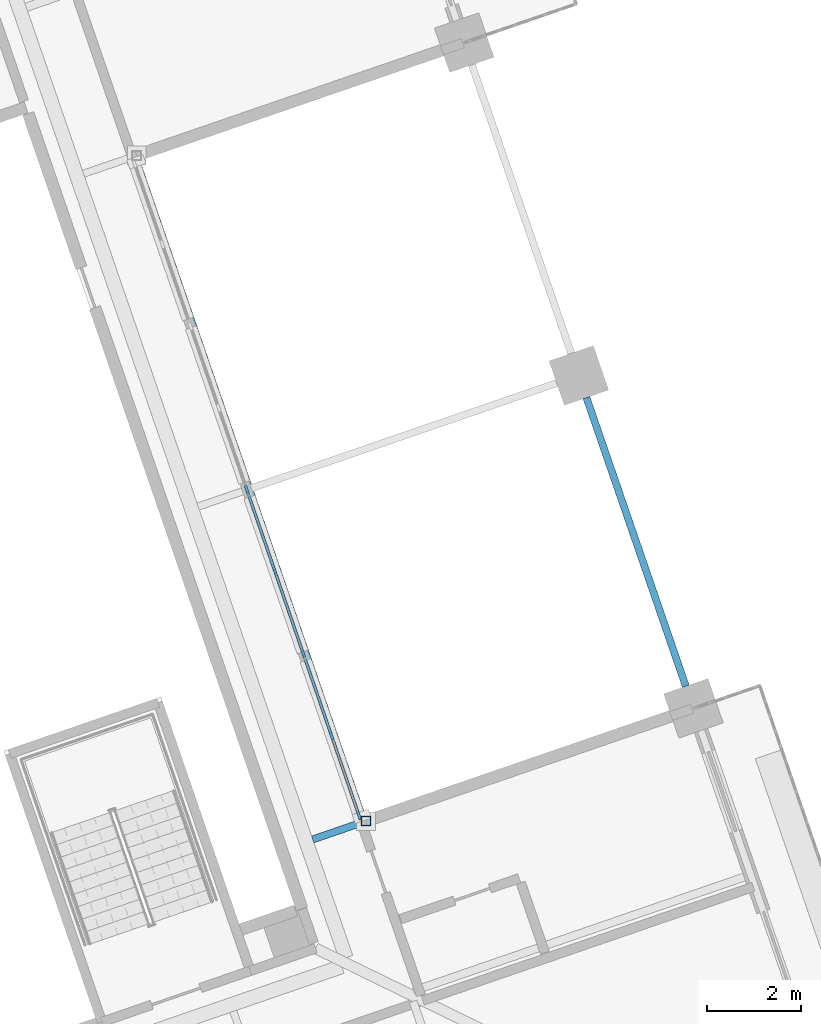
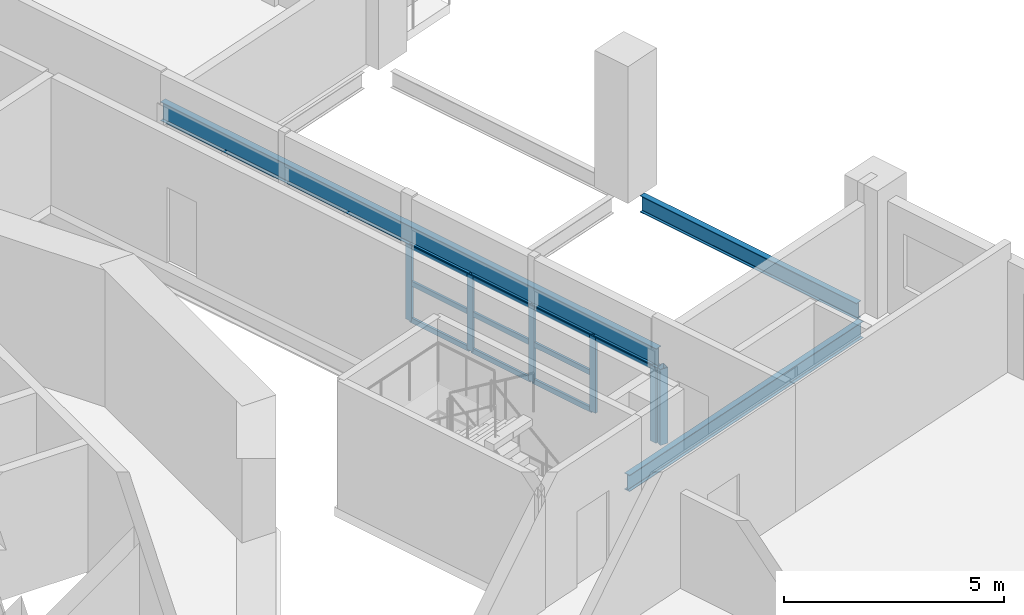
# One storey, part 2 of 21: 16 members, 3 beams, 1 element without a shape of its own.
"""IFC4 building model written with IfcOpenShell, lengths in metres."""

from ifc_helpers import new_model, si_unit, direction, frame, origin, origin_2d, place, context, subcontext, project, spatial, rectangle, hollow_rectangle, i_section, extrude, material, material_profile, profile_set, type_object, element, aggregate, save


model = new_model("IFC4")

# Units and contexts
model_context = context("Model", 3, precision=1e-05, world=origin(), true_north=direction((0.0, 1.0)))
body_context = subcontext(model_context, "Body", "Model", "MODEL_VIEW")
ifc_project = project(units=[si_unit("LENGTHUNIT", "METRE"), si_unit("AREAUNIT", "SQUARE_METRE"), si_unit("VOLUMEUNIT", "CUBIC_METRE"), si_unit("PLANEANGLEUNIT", "RADIAN"), si_unit("MASSUNIT", "GRAM", prefix="KILO")], contexts=[model_context])

# Site, building, storey
site_placement = place(None, origin())
site = spatial("IfcSite", under=ifc_project, at=site_placement, CompositionType="ELEMENT")
building_placement = place(site_placement, origin())
building = spatial("IfcBuilding", under=site, at=building_placement, Name="Cantera Rosa Tower", CompositionType="ELEMENT")
storey_placement = place(building_placement, frame((0.0, 0.0, 119.300048828125)))
storey = spatial("IfcBuildingStorey", under=building, at=storey_placement, Name="L24", CompositionType="ELEMENT", Elevation=119.300048828125)

# Curtain wall, members
ifc_material_1 = material(Name="Aluminium frame with clear glass", Category="aluminium")
curtain_wall_type = type_object("IfcCurtainWallType", Name="CW1 TERRACE POCKET GLAZING", PredefinedType="NOTDEFINED", material=ifc_material_1)
curtain_wall_placement = place(storey_placement, origin())
curtain_wall = element("IfcCurtainWall", 1, at=curtain_wall_placement, inside=storey, type_object=curtain_wall_type, Name="CW1 CW1", PredefinedType="NOTDEFINED")
ifc_material_2 = material(Name="Anodised bronze aluminium", Category="aluminium")
ifc_material_profile_1 = material_profile(ifc_material_2, rectangle(XDim=0.06005859375, YDim=0.179931640625, at=origin_2d()), Name="CW-MULLION 60x180 POCKET")
ifc_profile_set_1 = profile_set([ifc_material_profile_1], Name="Anodised bronze aluminium")
member_type_1 = type_object("IfcMemberType", Name="CW-MULLION 60x180 POCKET", PredefinedType="MULLION", material=ifc_profile_set_1)
member_1_placement = place(storey_placement, frame((21.30322265625, -4.4306640625, 0.0), z_axis=(0.0, 0.0, 1.0), x_axis=(-0.945518575588, -0.32556815449, 0.0)))
member_1 = element("IfcMember", 2, at=member_1_placement, type_object=member_type_1, Name="CW1 mullion 1", PredefinedType="MULLION", context=body_context, shape_type="SweptSolid", body=[
    extrude(rectangle(XDim=0.06005859375, YDim=0.179931640625, at=origin_2d()), origin(), (0.0, 0.0, 1.0), 2.10400390625),
])
member_2_placement = place(storey_placement, frame((20.7109375, -2.711181640625, 0.0), z_axis=(0.0, 0.0, 1.0), x_axis=(-0.945518575588, -0.32556815449, 0.0)))
member_2 = element("IfcMember", 3, at=member_2_placement, type_object=member_type_1, Name="CW1 mullion 2", PredefinedType="MULLION", context=body_context, shape_type="SweptSolid", body=[
    extrude(rectangle(XDim=0.06005859375, YDim=0.179931640625, at=origin_2d()), origin(), (0.0, 0.0, 1.0), 2.10400390625),
])
member_3_placement = place(storey_placement, frame((20.109130859375, -0.963134765625, 0.0), z_axis=(0.0, 0.0, 1.0), x_axis=(-0.945518575588, -0.32556815449, 0.0)))
member_3 = element("IfcMember", 4, at=member_3_placement, type_object=member_type_1, Name="CW1 mullion 3", PredefinedType="MULLION", context=body_context, shape_type="SweptSolid", body=[
    extrude(rectangle(XDim=0.06005859375, YDim=0.179931640625, at=origin_2d()), origin(), (0.0, 0.0, 1.0), 2.10400390625),
])
member_4_placement = place(storey_placement, frame((19.50732421875, 0.784912109375, 0.0), z_axis=(0.0, 0.0, 1.0), x_axis=(-0.945518575588, -0.32556815449, 0.0)))
member_4 = element("IfcMember", 5, at=member_4_placement, type_object=member_type_1, Name="CW1 mullion 4", PredefinedType="MULLION", context=body_context, shape_type="SweptSolid", body=[
    extrude(rectangle(XDim=0.06005859375, YDim=0.179931640625, at=origin_2d()), origin(), (0.0, 0.0, 1.0), 2.10400390625),
])
member_5_placement = place(storey_placement, frame((18.9052734375, 2.532958984375, 0.0), z_axis=(0.0, 0.0, 1.0), x_axis=(-0.945518575588, -0.32556815449, 0.0)))
member_5 = element("IfcMember", 6, at=member_5_placement, type_object=member_type_1, Name="CW1 mullion 5", PredefinedType="MULLION", context=body_context, shape_type="SweptSolid", body=[
    extrude(rectangle(XDim=0.06005859375, YDim=0.179931640625, at=origin_2d()), origin(), (0.0, 0.0, 1.0), 2.10400390625),
])
ifc_material_3 = material(Name="Anodised bronze aluminium", Category="aluminium")
ifc_material_profile_2 = material_profile(ifc_material_3, rectangle(XDim=0.06005859375, YDim=0.139892578125, at=origin_2d()), Name="CW-TRANSOM 60x140 POCKET")
ifc_profile_set_2 = profile_set([ifc_material_profile_2], Name="Anodised bronze aluminium")
member_type_2 = type_object("IfcMemberType", Name="CW-TRANSOM 60x140 POCKET", PredefinedType="USERDEFINED", material=ifc_profile_set_2)
member_6_placement = place(storey_placement, frame((21.29345703125, -4.40234375, 2.073974609375), z_axis=(-0.325665527523, 0.945485041755, 0.0), x_axis=(-0.945485041755, -0.325665527523, 0.0)))
member_6 = element("IfcMember", 7, at=member_6_placement, type_object=member_type_2, Name="CW1 transom 1.3", ObjectType="TRANSOM", PredefinedType="USERDEFINED", context=body_context, shape_type="SweptSolid", body=[
    extrude(rectangle(XDim=0.06005859375, YDim=0.139892578125, at=origin_2d()), origin(), (0.0, 0.0, 1.0), 1.7587890625),
])
member_7_placement = place(storey_placement, frame((20.701171875, -2.682861328125, 0.030029296875), z_axis=(-0.325506938428, 0.945539651752, 0.0), x_axis=(-0.945539651752, -0.325506938428, 0.0)))
member_7 = element("IfcMember", 8, at=member_7_placement, type_object=member_type_2, Name="CW1 transom 2.1", ObjectType="TRANSOM", PredefinedType="USERDEFINED", context=body_context, shape_type="SweptSolid", body=[
    extrude(rectangle(XDim=0.06005859375, YDim=0.139892578125, at=origin_2d()), origin(), (0.0, 0.0, 1.0), 1.788818359375),
])
member_8_placement = place(storey_placement, frame((20.701171875, -2.682861328125, 1.052001953125), z_axis=(-0.325506938428, 0.945539651752, 0.0), x_axis=(-0.945539651752, -0.325506938428, 0.0)))
member_8 = element("IfcMember", 9, at=member_8_placement, type_object=member_type_2, Name="CW1 transom 2.2", ObjectType="TRANSOM", PredefinedType="USERDEFINED", context=body_context, shape_type="SweptSolid", body=[
    extrude(rectangle(XDim=0.06005859375, YDim=0.139892578125, at=origin_2d()), origin(), (0.0, 0.0, 1.0), 1.788818359375),
])
member_9_placement = place(storey_placement, frame((20.701171875, -2.682861328125, 2.073974609375), z_axis=(-0.325506938428, 0.945539651752, 0.0), x_axis=(-0.945539651752, -0.325506938428, 0.0)))
member_9 = element("IfcMember", 10, at=member_9_placement, type_object=member_type_2, Name="CW1 transom 2.3", ObjectType="TRANSOM", PredefinedType="USERDEFINED", context=body_context, shape_type="SweptSolid", body=[
    extrude(rectangle(XDim=0.06005859375, YDim=0.139892578125, at=origin_2d()), origin(), (0.0, 0.0, 1.0), 1.788818359375),
])
member_10_placement = place(storey_placement, frame((20.099365234375, -0.934814453125, 0.030029296875), z_axis=(-0.325506938428, 0.945539651752, 0.0), x_axis=(-0.945539651752, -0.325506938428, 0.0)))
member_10 = element("IfcMember", 11, at=member_10_placement, type_object=member_type_2, Name="CW1 transom 3.1", ObjectType="TRANSOM", PredefinedType="USERDEFINED", context=body_context, shape_type="SweptSolid", body=[
    extrude(rectangle(XDim=0.06005859375, YDim=0.139892578125, at=origin_2d()), origin(), (0.0, 0.0, 1.0), 1.788818359375),
])
member_11_placement = place(storey_placement, frame((20.099365234375, -0.934814453125, 1.052001953125), z_axis=(-0.325506938428, 0.945539651752, 0.0), x_axis=(-0.945539651752, -0.325506938428, 0.0)))
member_11 = element("IfcMember", 12, at=member_11_placement, type_object=member_type_2, Name="CW1 transom 3.2", ObjectType="TRANSOM", PredefinedType="USERDEFINED", context=body_context, shape_type="SweptSolid", body=[
    extrude(rectangle(XDim=0.06005859375, YDim=0.139892578125, at=origin_2d()), origin(), (0.0, 0.0, 1.0), 1.788818359375),
])
member_12_placement = place(storey_placement, frame((20.099365234375, -0.934814453125, 2.073974609375), z_axis=(-0.325506938428, 0.945539651752, 0.0), x_axis=(-0.945539651752, -0.325506938428, 0.0)))
member_12 = element("IfcMember", 13, at=member_12_placement, type_object=member_type_2, Name="CW1 transom 3.3", ObjectType="TRANSOM", PredefinedType="USERDEFINED", context=body_context, shape_type="SweptSolid", body=[
    extrude(rectangle(XDim=0.06005859375, YDim=0.139892578125, at=origin_2d()), origin(), (0.0, 0.0, 1.0), 1.788818359375),
])
member_13_placement = place(storey_placement, frame((19.49755859375, 0.813232421875, 0.030029296875), z_axis=(-0.325628950391, 0.945497639694, 0.0), x_axis=(-0.945497639694, -0.325628950391, 0.0)))
member_13 = element("IfcMember", 14, at=member_13_placement, type_object=member_type_2, Name="CW1 transom 4.1", ObjectType="TRANSOM", PredefinedType="USERDEFINED", context=body_context, shape_type="SweptSolid", body=[
    extrude(rectangle(XDim=0.06005859375, YDim=0.139892578125, at=origin_2d()), origin(), (0.0, 0.0, 1.0), 1.788818359375),
])
member_14_placement = place(storey_placement, frame((19.49755859375, 0.813232421875, 1.052001953125), z_axis=(-0.325628950391, 0.945497639694, 0.0), x_axis=(-0.945497639694, -0.325628950391, 0.0)))
member_14 = element("IfcMember", 15, at=member_14_placement, type_object=member_type_2, Name="CW1 transom 4.2", ObjectType="TRANSOM", PredefinedType="USERDEFINED", context=body_context, shape_type="SweptSolid", body=[
    extrude(rectangle(XDim=0.06005859375, YDim=0.139892578125, at=origin_2d()), origin(), (0.0, 0.0, 1.0), 1.788818359375),
])
member_15_placement = place(storey_placement, frame((19.49755859375, 0.813232421875, 2.073974609375), z_axis=(-0.325628950391, 0.945497639694, 0.0), x_axis=(-0.945497639694, -0.325628950391, 0.0)))
member_15 = element("IfcMember", 16, at=member_15_placement, type_object=member_type_2, Name="CW1 transom 4.3", ObjectType="TRANSOM", PredefinedType="USERDEFINED", context=body_context, shape_type="SweptSolid", body=[
    extrude(rectangle(XDim=0.06005859375, YDim=0.139892578125, at=origin_2d()), origin(), (0.0, 0.0, 1.0), 1.788818359375),
])
aggregate(curtain_wall, [member_1, member_2, member_3, member_4, member_5, member_6, member_7, member_8, member_9, member_10, member_11, member_12, member_13, member_14, member_15])

# Member
ifc_material_4 = material(Name="Steel ASTM A992 (Fy 345 MPa)", Category="steel")
ifc_material_profile_3 = material_profile(ifc_material_4, hollow_rectangle(XDim=0.199951171875, YDim=0.199951171875, WallThickness=0.010009765625, at=origin_2d()), Name="LINTEL POST RHS 200x200x10")
ifc_profile_set_3 = profile_set([ifc_material_profile_3], Name="Steel ASTM A992 (Fy 345 MPa)")
member_type_3 = type_object("IfcMemberType", Name="LINTEL POST RHS 200x200x10", PredefinedType="USERDEFINED", material=ifc_profile_set_3)
member_16_placement = place(storey_placement, frame((21.4482421875, -4.544921875, 0.0), z_axis=(0.0, 0.0, 1.0), x_axis=(1.0, 0.0, 0.0)))
element("IfcMember", 17, at=member_16_placement, inside=storey, type_object=member_type_3, Name="LINTEL POST L24-1", ObjectType="LINTEL POST", PredefinedType="USERDEFINED", context=body_context, shape_type="SweptSolid", body=[
    extrude(hollow_rectangle(XDim=0.199951171875, YDim=0.199951171875, WallThickness=0.010009765625, at=origin_2d()), origin(), (0.0, 0.0, 1.0), 2.10595703125),
])

# Beams
ifc_material_5 = material(Name="Steel ASTM A992 (Fy 345 MPa)", Category="steel")
ifc_material_profile_4 = material_profile(ifc_material_5, i_section(OverallWidth=0.154052734375, OverallDepth=0.4599609375, WebThickness=0.009033203125, FlangeThickness=0.015380859375, FilletRadius=0.01025390625, at=origin_2d()), Name="W460X68")
ifc_profile_set_4 = profile_set([ifc_material_profile_4], Name="Steel ASTM A992 (Fy 345 MPa)")
beam_type_1 = type_object("IfcBeamType", Name="STEEL BEAM W460X68", PredefinedType="BEAM", material=ifc_profile_set_4)
beam_1_placement = place(storey_placement, frame((27.97216796875, -2.29833984375, -0.47998046875), z_axis=(-0.945514467387, -0.325580085327, 0.0), x_axis=(0.325580085327, -0.945514467387, 0.0)))
element("IfcBeam", 18, at=beam_1_placement, inside=storey, type_object=beam_type_1, Name="G-Z2-01 L24", PredefinedType="BEAM", context=body_context, shape_type="SweptSolid", body=[
    extrude(i_section(OverallWidth=0.154052734375, OverallDepth=0.4599609375, WebThickness=0.009033203125, FlangeThickness=0.015380859375, FilletRadius=0.01025390625, at=origin_2d()), origin(), (0.0, 0.0, 1.0), 8.10009765625),
])
ifc_material_6 = material(Name="Steel ASTM A992 (Fy 345 MPa)", Category="steel")
ifc_material_profile_5 = material_profile(ifc_material_6, i_section(OverallWidth=0.166015625, OverallDepth=0.528076171875, WebThickness=0.009765625, FlangeThickness=0.013671875, FilletRadius=0.0126953125, at=origin_2d()), Name="W530X74")
ifc_profile_set_5 = profile_set([ifc_material_profile_5], Name="Steel ASTM A992 (Fy 345 MPa)")
beam_type_2 = type_object("IfcBeamType", Name="STEEL BEAM W530X74", PredefinedType="BEAM", material=ifc_profile_set_5)
beam_2_placement = place(storey_placement, frame((21.384521484375, -4.513916015625, 2.369873046875), z_axis=(-0.325566108702, 0.945519280007, 0.0), x_axis=(-0.945519280007, -0.325566108702, 0.0)))
element("IfcBeam", 19, at=beam_2_placement, inside=storey, type_object=beam_type_2, Name="LINTEL SL-L24", PredefinedType="BEAM", context=body_context, shape_type="SweptSolid", body=[
    extrude(i_section(OverallWidth=0.166015625, OverallDepth=0.528076171875, WebThickness=0.009765625, FlangeThickness=0.013671875, FilletRadius=0.0126953125, at=origin_2d()), origin(), (0.0, 0.0, 1.0), 14.940185546875),
])
ifc_material_7 = material(Name="Steel ASTM A992 (Fy 345 MPa)", Category="steel")
ifc_material_profile_6 = material_profile(ifc_material_7, i_section(OverallWidth=0.154052734375, OverallDepth=0.4599609375, WebThickness=0.009033203125, FlangeThickness=0.015380859375, FilletRadius=0.01025390625, at=origin_2d()), Name="W460X68")
ifc_profile_set_6 = profile_set([ifc_material_profile_6], Name="Steel ASTM A992 (Fy 345 MPa)")
beam_type_3 = type_object("IfcBeamType", Name="STEEL SPANDREL BEAM W460X68", PredefinedType="SPANDREL", material=ifc_profile_set_6)
beam_3_placement = place(storey_placement, frame((28.2822265625, -1.662841796875, -0.47998046875), z_axis=(-0.325580990241, 0.945514155787, 0.0), x_axis=(-0.945514155787, -0.325580990241, 0.0)))
element("IfcBeam", 20, at=beam_3_placement, inside=storey, type_object=beam_type_3, Name="EB-Z2-02 L24", PredefinedType="SPANDREL", context=body_context, shape_type="SweptSolid", body=[
    extrude(i_section(OverallWidth=0.154052734375, OverallDepth=0.4599609375, WebThickness=0.009033203125, FlangeThickness=0.015380859375, FilletRadius=0.01025390625, at=origin_2d()), origin(), (0.0, 0.0, 1.0), 6.52001953125),
])

save(model, "model.ifc")
